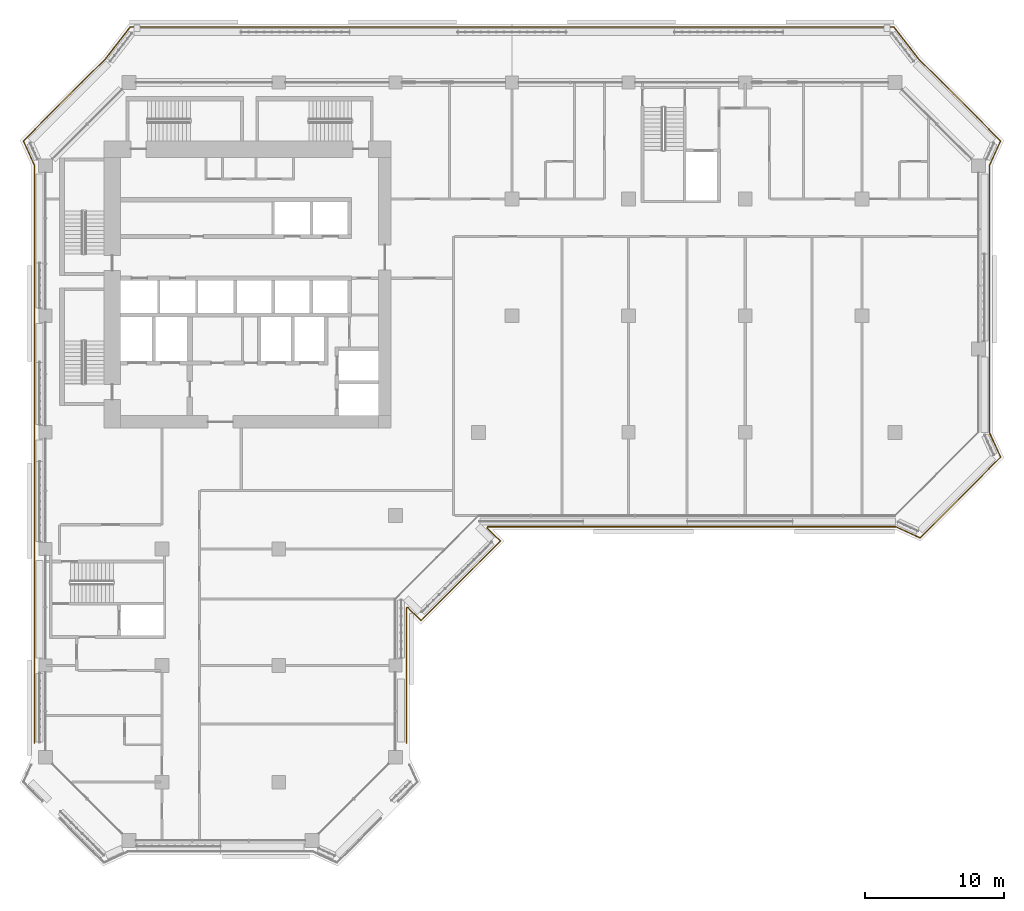
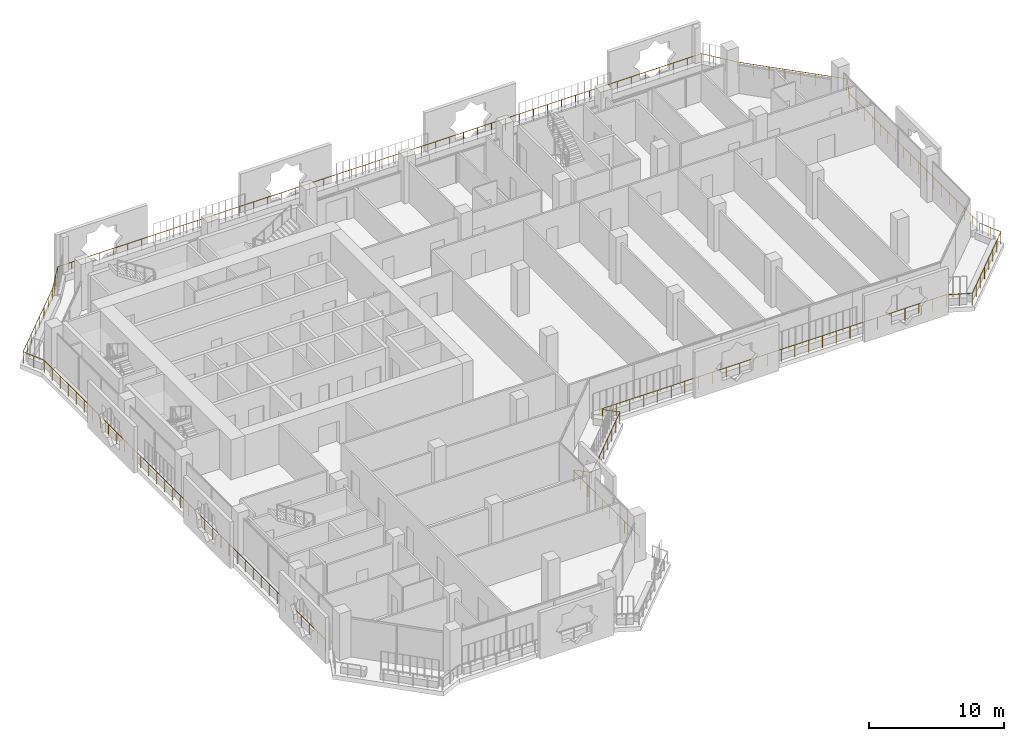
# One storey, part 20 of 22: 1 railing.
"""IFC4 building model written with IfcOpenShell, lengths in metres."""

from ifc_helpers import new_model, si_unit, direction, frame, origin, origin_2d, place, context, subcontext, project, spatial, circle, extrude, material, type_object, element, save


model = new_model("IFC4")

# Units and contexts
model_context = context("Model", 3, precision=1e-05, world=origin(), true_north=direction((0.0, 1.0)))
body_context = subcontext(model_context, "Body", "Model", "MODEL_VIEW")
ifc_project = project(units=[si_unit("LENGTHUNIT", "METRE"), si_unit("AREAUNIT", "SQUARE_METRE"), si_unit("VOLUMEUNIT", "CUBIC_METRE"), si_unit("PLANEANGLEUNIT", "RADIAN"), si_unit("MASSUNIT", "GRAM", prefix="KILO")], contexts=[model_context])

# Site, building, storey
site_placement = place(None, origin())
site = spatial("IfcSite", under=ifc_project, at=site_placement, CompositionType="ELEMENT")
building_placement = place(site_placement, origin())
building = spatial("IfcBuilding", under=site, at=building_placement, Name="Kawkab Arch Medical Tower", CompositionType="ELEMENT")
storey_placement = place(building_placement, frame((0.0, 0.0, 179.39990234375)))
storey = spatial("IfcBuildingStorey", under=building, at=storey_placement, Name="L41", CompositionType="ELEMENT", Elevation=179.39990234375)

# Railing
ifc_material = material(Name="Bronze anodised aluminium guard", Category="aluminium")
railing_type = type_object("IfcRailingType", Name="Loggia and terrace guard 1100", PredefinedType="GUARDRAIL", material=ifc_material)
railing_placement = place(storey_placement, frame((-0.800048828125, -47.570068359375, 0.0)))
element("IfcRailing", 1, at=railing_placement, inside=storey, type_object=railing_type, Name="Guard L41.LOG-01.1.3", PredefinedType="GUARDRAIL", context=body_context, shape_type="SweptSolid", body=[
    extrude(circle(Radius=0.02392578125, at=origin_2d()), frame((0.0, 0.0, 1.076171875), z_axis=(0.0, 1.0, 0.0), x_axis=(-1.0, 0.0, 0.0)), (0.0, 0.0, 1.0), 41.613037109375),
    extrude(circle(Radius=0.02392578125, at=origin_2d()), frame((0.0, 41.613037109375, 1.076171875), z_axis=(-0.414452581809, 0.910070907914, 0.0), x_axis=(-0.910070907914, -0.414452581809, 0.0)), (0.0, 0.0, 1.0), 1.925048828125),
    extrude(circle(Radius=0.02392578125, at=origin_2d()), frame((-0.7978515625, 43.364990234375, 1.076171875), z_axis=(0.707092175918, 0.707121386154, 0.0), x_axis=(-0.707121386154, 0.707092175918, 0.0)), (0.0, 0.0, 1.0), 8.358154296875),
    extrude(circle(Radius=0.02392578125, at=origin_2d()), frame((5.112060546875, 49.275146484375, 1.076171875), z_axis=(0.614144026922, 0.789193964876, 0.0), x_axis=(-0.789193964876, 0.614144026922, 0.0)), (0.0, 0.0, 1.0), 2.907958984375),
    extrude(circle(Radius=0.02392578125, at=origin_2d()), frame((6.89794921875, 51.570068359375, 1.076171875), z_axis=(1.0, 0.0, 0.0), x_axis=(0.0, 1.0, 0.0)), (0.0, 0.0, 1.0), 55.004150390625),
    extrude(circle(Radius=0.02392578125, at=origin_2d()), frame((61.902099609375, 51.570068359375, 1.076171875), z_axis=(0.614144026922, -0.789193964876, 0.0), x_axis=(0.789193964876, 0.614144026922, 0.0)), (0.0, 0.0, 1.0), 2.907958984375),
    extrude(circle(Radius=0.02392578125, at=origin_2d()), frame((63.68798828125, 49.275146484375, 1.076171875), z_axis=(0.707106781187, -0.707106781187, 0.0), x_axis=(0.707106781187, 0.707106781187, 0.0)), (0.0, 0.0, 1.0), 8.358154296875),
    extrude(circle(Radius=0.02392578125, at=origin_2d()), frame((69.59814453125, 43.364990234375, 1.076171875), z_axis=(-0.414557610759, -0.910023069687, 0.0), x_axis=(0.910023069687, -0.414557610759, 0.0)), (0.0, 0.0, 1.0), 1.92529296875),
    extrude(circle(Radius=0.02392578125, at=origin_2d()), frame((68.800048828125, 41.613037109375, 1.076171875), z_axis=(0.0, -1.0, 0.0), x_axis=(1.0, 0.0, 0.0)), (0.0, 0.0, 1.0), 19.285888671875),
    extrude(circle(Radius=0.02392578125, at=origin_2d()), frame((68.800048828125, 22.3271484375, 1.076171875), z_axis=(0.414509773934, -0.910044860056, 0.0), x_axis=(0.910044860056, 0.414509773934, 0.0)), (0.0, 0.0, 1.0), 1.92529296875),
    extrude(circle(Radius=0.02392578125, at=origin_2d()), frame((69.59814453125, 20.574951171875, 1.076171875), z_axis=(-0.707106781187, -0.707106781187, 0.0), x_axis=(0.707106781187, -0.707106781187, 0.0)), (0.0, 0.0, 1.0), 8.20654296875),
    extrude(circle(Radius=0.02392578125, at=origin_2d()), frame((63.795166015625, 14.77197265625, 1.076171875), z_axis=(-0.910044860056, 0.414509773934, 0.0), x_axis=(-0.414509773934, -0.910044860056, 0.0)), (0.0, 0.0, 1.0), 1.92529296875),
    extrude(circle(Radius=0.02392578125, at=origin_2d()), frame((62.04296875, 15.570068359375, 1.076171875), z_axis=(-1.0, 0.0, 0.0), x_axis=(0.0, -1.0, 0.0)), (0.0, 0.0, 1.0), 29.392822265625),
    extrude(circle(Radius=0.02392578125, at=origin_2d()), frame((32.650146484375, 15.570068359375, 1.076171875), z_axis=(-0.383763674343, -0.923431341387, 0.0), x_axis=(0.923431341387, -0.383763674343, 0.0)), (0.0, 0.0, 1.0), 0.101806640625),
    extrude(circle(Radius=0.02392578125, at=origin_2d()), frame((32.611083984375, 15.47607421875, 1.076171875), z_axis=(0.707015335112, -0.707198215437, 0.0), x_axis=(0.707198215437, 0.707015335112, 0.0)), (0.0, 0.0, 1.0), 1.3349609375),
    extrude(circle(Radius=0.02392578125, at=origin_2d()), frame((33.554931640625, 14.531982421875, 1.076171875), z_axis=(-0.707106781187, -0.707106781187, 0.0), x_axis=(0.707106781187, -0.707106781187, 0.0)), (0.0, 0.0, 1.0), 8.084716796875),
    extrude(circle(Radius=0.02392578125, at=origin_2d()), frame((27.838134765625, 8.815185546875, 1.076171875), z_axis=(-0.707198215437, 0.707015335112, 0.0), x_axis=(-0.707015335112, -0.707198215437, 0.0)), (0.0, 0.0, 1.0), 1.3349609375),
    extrude(circle(Radius=0.02392578125, at=origin_2d()), frame((26.89404296875, 9.759033203125, 1.076171875), z_axis=(-0.923431341387, -0.383763674343, 0.0), x_axis=(0.383763674343, -0.923431341387, 0.0)), (0.0, 0.0, 1.0), 0.101806640625),
    extrude(circle(Radius=0.02392578125, at=origin_2d()), frame((26.800048828125, 9.719970703125, 1.076171875), z_axis=(0.0, -1.0, 0.0), x_axis=(1.0, 0.0, 0.0)), (0.0, 0.0, 1.0), 9.719970703125),
    extrude(circle(Radius=0.02099609375, at=origin_2d()), origin(), (0.0, 0.0, 1.0), 1.052001953125),
    extrude(circle(Radius=0.02099609375, at=origin_2d()), frame((0.0, 1.18896484375, 0.0)), (0.0, 0.0, 1.0), 1.052001953125),
    extrude(circle(Radius=0.02099609375, at=origin_2d()), frame((0.0, 2.3779296875, 0.0)), (0.0, 0.0, 1.0), 1.052001953125),
    extrude(circle(Radius=0.02099609375, at=origin_2d()), frame((0.0, 3.56689453125, 0.0)), (0.0, 0.0, 1.0), 1.052001953125),
    extrude(circle(Radius=0.02099609375, at=origin_2d()), frame((0.0, 4.755859375, 0.0)), (0.0, 0.0, 1.0), 1.052001953125),
    extrude(circle(Radius=0.02099609375, at=origin_2d()), frame((0.0, 5.94482421875, 0.0)), (0.0, 0.0, 1.0), 1.052001953125),
    extrude(circle(Radius=0.02099609375, at=origin_2d()), frame((0.0, 7.133544921875, 0.0)), (0.0, 0.0, 1.0), 1.052001953125),
    extrude(circle(Radius=0.02099609375, at=origin_2d()), frame((0.0, 8.322509765625, 0.0)), (0.0, 0.0, 1.0), 1.052001953125),
    extrude(circle(Radius=0.02099609375, at=origin_2d()), frame((0.0, 9.511474609375, 0.0)), (0.0, 0.0, 1.0), 1.052001953125),
    extrude(circle(Radius=0.02099609375, at=origin_2d()), frame((0.0, 10.700439453125, 0.0)), (0.0, 0.0, 1.0), 1.052001953125),
    extrude(circle(Radius=0.02099609375, at=origin_2d()), frame((0.0, 11.889404296875, 0.0)), (0.0, 0.0, 1.0), 1.052001953125),
    extrude(circle(Radius=0.02099609375, at=origin_2d()), frame((0.0, 13.078369140625, 0.0)), (0.0, 0.0, 1.0), 1.052001953125),
    extrude(circle(Radius=0.02099609375, at=origin_2d()), frame((0.0, 14.267333984375, 0.0)), (0.0, 0.0, 1.0), 1.052001953125),
    extrude(circle(Radius=0.02099609375, at=origin_2d()), frame((0.0, 15.456298828125, 0.0)), (0.0, 0.0, 1.0), 1.052001953125),
    extrude(circle(Radius=0.02099609375, at=origin_2d()), frame((0.0, 16.645263671875, 0.0)), (0.0, 0.0, 1.0), 1.052001953125),
    extrude(circle(Radius=0.02099609375, at=origin_2d()), frame((0.0, 17.834228515625, 0.0)), (0.0, 0.0, 1.0), 1.052001953125),
    extrude(circle(Radius=0.02099609375, at=origin_2d()), frame((0.0, 19.023193359375, 0.0)), (0.0, 0.0, 1.0), 1.052001953125),
    extrude(circle(Radius=0.02099609375, at=origin_2d()), frame((0.0, 20.212158203125, 0.0)), (0.0, 0.0, 1.0), 1.052001953125),
    extrude(circle(Radius=0.02099609375, at=origin_2d()), frame((0.0, 21.40087890625, 0.0)), (0.0, 0.0, 1.0), 1.052001953125),
    extrude(circle(Radius=0.02099609375, at=origin_2d()), frame((0.0, 22.58984375, 0.0)), (0.0, 0.0, 1.0), 1.052001953125),
    extrude(circle(Radius=0.02099609375, at=origin_2d()), frame((0.0, 23.77880859375, 0.0)), (0.0, 0.0, 1.0), 1.052001953125),
    extrude(circle(Radius=0.02099609375, at=origin_2d()), frame((0.0, 24.9677734375, 0.0)), (0.0, 0.0, 1.0), 1.052001953125),
    extrude(circle(Radius=0.02099609375, at=origin_2d()), frame((0.0, 26.15673828125, 0.0)), (0.0, 0.0, 1.0), 1.052001953125),
    extrude(circle(Radius=0.02099609375, at=origin_2d()), frame((0.0, 27.345703125, 0.0)), (0.0, 0.0, 1.0), 1.052001953125),
    extrude(circle(Radius=0.02099609375, at=origin_2d()), frame((0.0, 28.53466796875, 0.0)), (0.0, 0.0, 1.0), 1.052001953125),
    extrude(circle(Radius=0.02099609375, at=origin_2d()), frame((0.0, 29.7236328125, 0.0)), (0.0, 0.0, 1.0), 1.052001953125),
    extrude(circle(Radius=0.02099609375, at=origin_2d()), frame((0.0, 30.91259765625, 0.0)), (0.0, 0.0, 1.0), 1.052001953125),
    extrude(circle(Radius=0.02099609375, at=origin_2d()), frame((0.0, 32.1015625, 0.0)), (0.0, 0.0, 1.0), 1.052001953125),
    extrude(circle(Radius=0.02099609375, at=origin_2d()), frame((0.0, 33.29052734375, 0.0)), (0.0, 0.0, 1.0), 1.052001953125),
    extrude(circle(Radius=0.02099609375, at=origin_2d()), frame((0.0, 34.4794921875, 0.0)), (0.0, 0.0, 1.0), 1.052001953125),
    extrude(circle(Radius=0.02099609375, at=origin_2d()), frame((0.0, 35.668212890625, 0.0)), (0.0, 0.0, 1.0), 1.052001953125),
    extrude(circle(Radius=0.02099609375, at=origin_2d()), frame((0.0, 36.857177734375, 0.0)), (0.0, 0.0, 1.0), 1.052001953125),
    extrude(circle(Radius=0.02099609375, at=origin_2d()), frame((0.0, 38.046142578125, 0.0)), (0.0, 0.0, 1.0), 1.052001953125),
    extrude(circle(Radius=0.02099609375, at=origin_2d()), frame((0.0, 39.235107421875, 0.0)), (0.0, 0.0, 1.0), 1.052001953125),
    extrude(circle(Radius=0.02099609375, at=origin_2d()), frame((0.0, 40.424072265625, 0.0)), (0.0, 0.0, 1.0), 1.052001953125),
    extrude(circle(Radius=0.02099609375, at=origin_2d()), frame((0.0, 41.613037109375, 0.0)), (0.0, 0.0, 1.0), 1.052001953125),
    extrude(circle(Radius=0.02099609375, at=origin_2d()), frame((-0.39892578125, 42.489013671875, 0.0)), (0.0, 0.0, 1.0), 1.052001953125),
    extrude(circle(Radius=0.02099609375, at=origin_2d()), frame((-0.7978515625, 43.364990234375, 0.0)), (0.0, 0.0, 1.0), 1.052001953125),
    extrude(circle(Radius=0.02099609375, at=origin_2d()), frame((0.04638671875, 44.209228515625, 0.0)), (0.0, 0.0, 1.0), 1.052001953125),
    extrude(circle(Radius=0.02099609375, at=origin_2d()), frame((0.890625, 45.0537109375, 0.0)), (0.0, 0.0, 1.0), 1.052001953125),
    extrude(circle(Radius=0.02099609375, at=origin_2d()), frame((1.73486328125, 45.89794921875, 0.0)), (0.0, 0.0, 1.0), 1.052001953125),
    extrude(circle(Radius=0.02099609375, at=origin_2d()), frame((2.579345703125, 46.7421875, 0.0)), (0.0, 0.0, 1.0), 1.052001953125),
    extrude(circle(Radius=0.02099609375, at=origin_2d()), frame((3.423583984375, 47.58642578125, 0.0)), (0.0, 0.0, 1.0), 1.052001953125),
    extrude(circle(Radius=0.02099609375, at=origin_2d()), frame((4.267822265625, 48.430908203125, 0.0)), (0.0, 0.0, 1.0), 1.052001953125),
    extrude(circle(Radius=0.02099609375, at=origin_2d()), frame((5.112060546875, 49.275146484375, 0.0)), (0.0, 0.0, 1.0), 1.052001953125),
    extrude(circle(Radius=0.02099609375, at=origin_2d()), frame((5.707275390625, 50.0400390625, 0.0)), (0.0, 0.0, 1.0), 1.052001953125),
    extrude(circle(Radius=0.02099609375, at=origin_2d()), frame((6.302734375, 50.80517578125, 0.0)), (0.0, 0.0, 1.0), 1.052001953125),
    extrude(circle(Radius=0.02099609375, at=origin_2d()), frame((6.89794921875, 51.570068359375, 0.0)), (0.0, 0.0, 1.0), 1.052001953125),
    extrude(circle(Radius=0.02099609375, at=origin_2d()), frame((8.09375, 51.570068359375, 0.0)), (0.0, 0.0, 1.0), 1.052001953125),
    extrude(circle(Radius=0.02099609375, at=origin_2d()), frame((9.28955078125, 51.570068359375, 0.0)), (0.0, 0.0, 1.0), 1.052001953125),
    extrude(circle(Radius=0.02099609375, at=origin_2d()), frame((10.485107421875, 51.570068359375, 0.0)), (0.0, 0.0, 1.0), 1.052001953125),
    extrude(circle(Radius=0.02099609375, at=origin_2d()), frame((11.680908203125, 51.570068359375, 0.0)), (0.0, 0.0, 1.0), 1.052001953125),
    extrude(circle(Radius=0.02099609375, at=origin_2d()), frame((12.876708984375, 51.570068359375, 0.0)), (0.0, 0.0, 1.0), 1.052001953125),
    extrude(circle(Radius=0.02099609375, at=origin_2d()), frame((14.072509765625, 51.570068359375, 0.0)), (0.0, 0.0, 1.0), 1.052001953125),
    extrude(circle(Radius=0.02099609375, at=origin_2d()), frame((15.26806640625, 51.570068359375, 0.0)), (0.0, 0.0, 1.0), 1.052001953125),
    extrude(circle(Radius=0.02099609375, at=origin_2d()), frame((16.4638671875, 51.570068359375, 0.0)), (0.0, 0.0, 1.0), 1.052001953125),
    extrude(circle(Radius=0.02099609375, at=origin_2d()), frame((17.65966796875, 51.570068359375, 0.0)), (0.0, 0.0, 1.0), 1.052001953125),
    extrude(circle(Radius=0.02099609375, at=origin_2d()), frame((18.85546875, 51.570068359375, 0.0)), (0.0, 0.0, 1.0), 1.052001953125),
    extrude(circle(Radius=0.02099609375, at=origin_2d()), frame((20.051025390625, 51.570068359375, 0.0)), (0.0, 0.0, 1.0), 1.052001953125),
    extrude(circle(Radius=0.02099609375, at=origin_2d()), frame((21.246826171875, 51.570068359375, 0.0)), (0.0, 0.0, 1.0), 1.052001953125),
    extrude(circle(Radius=0.02099609375, at=origin_2d()), frame((22.442626953125, 51.570068359375, 0.0)), (0.0, 0.0, 1.0), 1.052001953125),
    extrude(circle(Radius=0.02099609375, at=origin_2d()), frame((23.638427734375, 51.570068359375, 0.0)), (0.0, 0.0, 1.0), 1.052001953125),
    extrude(circle(Radius=0.02099609375, at=origin_2d()), frame((24.833984375, 51.570068359375, 0.0)), (0.0, 0.0, 1.0), 1.052001953125),
    extrude(circle(Radius=0.02099609375, at=origin_2d()), frame((26.02978515625, 51.570068359375, 0.0)), (0.0, 0.0, 1.0), 1.052001953125),
    extrude(circle(Radius=0.02099609375, at=origin_2d()), frame((27.2255859375, 51.570068359375, 0.0)), (0.0, 0.0, 1.0), 1.052001953125),
    extrude(circle(Radius=0.02099609375, at=origin_2d()), frame((28.42138671875, 51.570068359375, 0.0)), (0.0, 0.0, 1.0), 1.052001953125),
    extrude(circle(Radius=0.02099609375, at=origin_2d()), frame((29.616943359375, 51.570068359375, 0.0)), (0.0, 0.0, 1.0), 1.052001953125),
    extrude(circle(Radius=0.02099609375, at=origin_2d()), frame((30.812744140625, 51.570068359375, 0.0)), (0.0, 0.0, 1.0), 1.052001953125),
    extrude(circle(Radius=0.02099609375, at=origin_2d()), frame((32.008544921875, 51.570068359375, 0.0)), (0.0, 0.0, 1.0), 1.052001953125),
    extrude(circle(Radius=0.02099609375, at=origin_2d()), frame((33.204345703125, 51.570068359375, 0.0)), (0.0, 0.0, 1.0), 1.052001953125),
    extrude(circle(Radius=0.02099609375, at=origin_2d()), frame((34.39990234375, 51.570068359375, 0.0)), (0.0, 0.0, 1.0), 1.052001953125),
    extrude(circle(Radius=0.02099609375, at=origin_2d()), frame((35.595703125, 51.570068359375, 0.0)), (0.0, 0.0, 1.0), 1.052001953125),
    extrude(circle(Radius=0.02099609375, at=origin_2d()), frame((36.79150390625, 51.570068359375, 0.0)), (0.0, 0.0, 1.0), 1.052001953125),
    extrude(circle(Radius=0.02099609375, at=origin_2d()), frame((37.9873046875, 51.570068359375, 0.0)), (0.0, 0.0, 1.0), 1.052001953125),
    extrude(circle(Radius=0.02099609375, at=origin_2d()), frame((39.18310546875, 51.570068359375, 0.0)), (0.0, 0.0, 1.0), 1.052001953125),
    extrude(circle(Radius=0.02099609375, at=origin_2d()), frame((40.378662109375, 51.570068359375, 0.0)), (0.0, 0.0, 1.0), 1.052001953125),
    extrude(circle(Radius=0.02099609375, at=origin_2d()), frame((41.574462890625, 51.570068359375, 0.0)), (0.0, 0.0, 1.0), 1.052001953125),
    extrude(circle(Radius=0.02099609375, at=origin_2d()), frame((42.770263671875, 51.570068359375, 0.0)), (0.0, 0.0, 1.0), 1.052001953125),
    extrude(circle(Radius=0.02099609375, at=origin_2d()), frame((43.966064453125, 51.570068359375, 0.0)), (0.0, 0.0, 1.0), 1.052001953125),
    extrude(circle(Radius=0.02099609375, at=origin_2d()), frame((45.16162109375, 51.570068359375, 0.0)), (0.0, 0.0, 1.0), 1.052001953125),
    extrude(circle(Radius=0.02099609375, at=origin_2d()), frame((46.357421875, 51.570068359375, 0.0)), (0.0, 0.0, 1.0), 1.052001953125),
    extrude(circle(Radius=0.02099609375, at=origin_2d()), frame((47.55322265625, 51.570068359375, 0.0)), (0.0, 0.0, 1.0), 1.052001953125),
    extrude(circle(Radius=0.02099609375, at=origin_2d()), frame((48.7490234375, 51.570068359375, 0.0)), (0.0, 0.0, 1.0), 1.052001953125),
    extrude(circle(Radius=0.02099609375, at=origin_2d()), frame((49.944580078125, 51.570068359375, 0.0)), (0.0, 0.0, 1.0), 1.052001953125),
    extrude(circle(Radius=0.02099609375, at=origin_2d()), frame((51.140380859375, 51.570068359375, 0.0)), (0.0, 0.0, 1.0), 1.052001953125),
    extrude(circle(Radius=0.02099609375, at=origin_2d()), frame((52.336181640625, 51.570068359375, 0.0)), (0.0, 0.0, 1.0), 1.052001953125),
    extrude(circle(Radius=0.02099609375, at=origin_2d()), frame((53.531982421875, 51.570068359375, 0.0)), (0.0, 0.0, 1.0), 1.052001953125),
    extrude(circle(Radius=0.02099609375, at=origin_2d()), frame((54.7275390625, 51.570068359375, 0.0)), (0.0, 0.0, 1.0), 1.052001953125),
    extrude(circle(Radius=0.02099609375, at=origin_2d()), frame((55.92333984375, 51.570068359375, 0.0)), (0.0, 0.0, 1.0), 1.052001953125),
    extrude(circle(Radius=0.02099609375, at=origin_2d()), frame((57.119140625, 51.570068359375, 0.0)), (0.0, 0.0, 1.0), 1.052001953125),
    extrude(circle(Radius=0.02099609375, at=origin_2d()), frame((58.31494140625, 51.570068359375, 0.0)), (0.0, 0.0, 1.0), 1.052001953125),
    extrude(circle(Radius=0.02099609375, at=origin_2d()), frame((59.510498046875, 51.570068359375, 0.0)), (0.0, 0.0, 1.0), 1.052001953125),
    extrude(circle(Radius=0.02099609375, at=origin_2d()), frame((60.706298828125, 51.570068359375, 0.0)), (0.0, 0.0, 1.0), 1.052001953125),
    extrude(circle(Radius=0.02099609375, at=origin_2d()), frame((61.902099609375, 51.570068359375, 0.0)), (0.0, 0.0, 1.0), 1.052001953125),
    extrude(circle(Radius=0.02099609375, at=origin_2d()), frame((62.497314453125, 50.80517578125, 0.0)), (0.0, 0.0, 1.0), 1.052001953125),
    extrude(circle(Radius=0.02099609375, at=origin_2d()), frame((63.0927734375, 50.0400390625, 0.0)), (0.0, 0.0, 1.0), 1.052001953125),
    extrude(circle(Radius=0.02099609375, at=origin_2d()), frame((63.68798828125, 49.275146484375, 0.0)), (0.0, 0.0, 1.0), 1.052001953125),
    extrude(circle(Radius=0.02099609375, at=origin_2d()), frame((64.5322265625, 48.430908203125, 0.0)), (0.0, 0.0, 1.0), 1.052001953125),
    extrude(circle(Radius=0.02099609375, at=origin_2d()), frame((65.376708984375, 47.58642578125, 0.0)), (0.0, 0.0, 1.0), 1.052001953125),
    extrude(circle(Radius=0.02099609375, at=origin_2d()), frame((66.220947265625, 46.7421875, 0.0)), (0.0, 0.0, 1.0), 1.052001953125),
    extrude(circle(Radius=0.02099609375, at=origin_2d()), frame((67.065185546875, 45.89794921875, 0.0)), (0.0, 0.0, 1.0), 1.052001953125),
    extrude(circle(Radius=0.02099609375, at=origin_2d()), frame((67.909423828125, 45.0537109375, 0.0)), (0.0, 0.0, 1.0), 1.052001953125),
    extrude(circle(Radius=0.02099609375, at=origin_2d()), frame((68.75390625, 44.209228515625, 0.0)), (0.0, 0.0, 1.0), 1.052001953125),
    extrude(circle(Radius=0.02099609375, at=origin_2d()), frame((69.59814453125, 43.364990234375, 0.0)), (0.0, 0.0, 1.0), 1.052001953125),
    extrude(circle(Radius=0.02099609375, at=origin_2d()), frame((69.19921875, 42.489013671875, 0.0)), (0.0, 0.0, 1.0), 1.052001953125),
    extrude(circle(Radius=0.02099609375, at=origin_2d()), frame((68.800048828125, 41.613037109375, 0.0)), (0.0, 0.0, 1.0), 1.052001953125),
    extrude(circle(Radius=0.02099609375, at=origin_2d()), frame((68.800048828125, 40.478515625, 0.0)), (0.0, 0.0, 1.0), 1.052001953125),
    extrude(circle(Radius=0.02099609375, at=origin_2d()), frame((68.800048828125, 39.343994140625, 0.0)), (0.0, 0.0, 1.0), 1.052001953125),
    extrude(circle(Radius=0.02099609375, at=origin_2d()), frame((68.800048828125, 38.209716796875, 0.0)), (0.0, 0.0, 1.0), 1.052001953125),
    extrude(circle(Radius=0.02099609375, at=origin_2d()), frame((68.800048828125, 37.0751953125, 0.0)), (0.0, 0.0, 1.0), 1.052001953125),
    extrude(circle(Radius=0.02099609375, at=origin_2d()), frame((68.800048828125, 35.940673828125, 0.0)), (0.0, 0.0, 1.0), 1.052001953125),
    extrude(circle(Radius=0.02099609375, at=origin_2d()), frame((68.800048828125, 34.80615234375, 0.0)), (0.0, 0.0, 1.0), 1.052001953125),
    extrude(circle(Radius=0.02099609375, at=origin_2d()), frame((68.800048828125, 33.671875, 0.0)), (0.0, 0.0, 1.0), 1.052001953125),
    extrude(circle(Radius=0.02099609375, at=origin_2d()), frame((68.800048828125, 32.537353515625, 0.0)), (0.0, 0.0, 1.0), 1.052001953125),
    extrude(circle(Radius=0.02099609375, at=origin_2d()), frame((68.800048828125, 31.40283203125, 0.0)), (0.0, 0.0, 1.0), 1.052001953125),
    extrude(circle(Radius=0.02099609375, at=origin_2d()), frame((68.800048828125, 30.268310546875, 0.0)), (0.0, 0.0, 1.0), 1.052001953125),
    extrude(circle(Radius=0.02099609375, at=origin_2d()), frame((68.800048828125, 29.134033203125, 0.0)), (0.0, 0.0, 1.0), 1.052001953125),
    extrude(circle(Radius=0.02099609375, at=origin_2d()), frame((68.800048828125, 27.99951171875, 0.0)), (0.0, 0.0, 1.0), 1.052001953125),
    extrude(circle(Radius=0.02099609375, at=origin_2d()), frame((68.800048828125, 26.864990234375, 0.0)), (0.0, 0.0, 1.0), 1.052001953125),
    extrude(circle(Radius=0.02099609375, at=origin_2d()), frame((68.800048828125, 25.73046875, 0.0)), (0.0, 0.0, 1.0), 1.052001953125),
    extrude(circle(Radius=0.02099609375, at=origin_2d()), frame((68.800048828125, 24.59619140625, 0.0)), (0.0, 0.0, 1.0), 1.052001953125),
    extrude(circle(Radius=0.02099609375, at=origin_2d()), frame((68.800048828125, 23.461669921875, 0.0)), (0.0, 0.0, 1.0), 1.052001953125),
    extrude(circle(Radius=0.02099609375, at=origin_2d()), frame((68.800048828125, 22.3271484375, 0.0)), (0.0, 0.0, 1.0), 1.052001953125),
    extrude(circle(Radius=0.02099609375, at=origin_2d()), frame((69.19921875, 21.451171875, 0.0)), (0.0, 0.0, 1.0), 1.052001953125),
    extrude(circle(Radius=0.02099609375, at=origin_2d()), frame((69.59814453125, 20.574951171875, 0.0)), (0.0, 0.0, 1.0), 1.052001953125),
    extrude(circle(Radius=0.02099609375, at=origin_2d()), frame((68.76904296875, 19.745849609375, 0.0)), (0.0, 0.0, 1.0), 1.052001953125),
    extrude(circle(Radius=0.02099609375, at=origin_2d()), frame((67.940185546875, 18.9169921875, 0.0)), (0.0, 0.0, 1.0), 1.052001953125),
    extrude(circle(Radius=0.02099609375, at=origin_2d()), frame((67.111083984375, 18.087890625, 0.0)), (0.0, 0.0, 1.0), 1.052001953125),
    extrude(circle(Radius=0.02099609375, at=origin_2d()), frame((66.2822265625, 17.259033203125, 0.0)), (0.0, 0.0, 1.0), 1.052001953125),
    extrude(circle(Radius=0.02099609375, at=origin_2d()), frame((65.453125, 16.429931640625, 0.0)), (0.0, 0.0, 1.0), 1.052001953125),
    extrude(circle(Radius=0.02099609375, at=origin_2d()), frame((64.624267578125, 15.60107421875, 0.0)), (0.0, 0.0, 1.0), 1.052001953125),
    extrude(circle(Radius=0.02099609375, at=origin_2d()), frame((63.795166015625, 14.77197265625, 0.0)), (0.0, 0.0, 1.0), 1.052001953125),
    extrude(circle(Radius=0.02099609375, at=origin_2d()), frame((62.9189453125, 15.1708984375, 0.0)), (0.0, 0.0, 1.0), 1.052001953125),
    extrude(circle(Radius=0.02099609375, at=origin_2d()), frame((62.04296875, 15.570068359375, 0.0)), (0.0, 0.0, 1.0), 1.052001953125),
    extrude(circle(Radius=0.02099609375, at=origin_2d()), frame((60.8671875, 15.570068359375, 0.0)), (0.0, 0.0, 1.0), 1.052001953125),
    extrude(circle(Radius=0.02099609375, at=origin_2d()), frame((59.691650390625, 15.570068359375, 0.0)), (0.0, 0.0, 1.0), 1.052001953125),
    extrude(circle(Radius=0.02099609375, at=origin_2d()), frame((58.515869140625, 15.570068359375, 0.0)), (0.0, 0.0, 1.0), 1.052001953125),
    extrude(circle(Radius=0.02099609375, at=origin_2d()), frame((57.340087890625, 15.570068359375, 0.0)), (0.0, 0.0, 1.0), 1.052001953125),
    extrude(circle(Radius=0.02099609375, at=origin_2d()), frame((56.164306640625, 15.570068359375, 0.0)), (0.0, 0.0, 1.0), 1.052001953125),
    extrude(circle(Radius=0.02099609375, at=origin_2d()), frame((54.98876953125, 15.570068359375, 0.0)), (0.0, 0.0, 1.0), 1.052001953125),
    extrude(circle(Radius=0.02099609375, at=origin_2d()), frame((53.81298828125, 15.570068359375, 0.0)), (0.0, 0.0, 1.0), 1.052001953125),
    extrude(circle(Radius=0.02099609375, at=origin_2d()), frame((52.63720703125, 15.570068359375, 0.0)), (0.0, 0.0, 1.0), 1.052001953125),
    extrude(circle(Radius=0.02099609375, at=origin_2d()), frame((51.461669921875, 15.570068359375, 0.0)), (0.0, 0.0, 1.0), 1.052001953125),
    extrude(circle(Radius=0.02099609375, at=origin_2d()), frame((50.285888671875, 15.570068359375, 0.0)), (0.0, 0.0, 1.0), 1.052001953125),
    extrude(circle(Radius=0.02099609375, at=origin_2d()), frame((49.110107421875, 15.570068359375, 0.0)), (0.0, 0.0, 1.0), 1.052001953125),
    extrude(circle(Radius=0.02099609375, at=origin_2d()), frame((47.934326171875, 15.570068359375, 0.0)), (0.0, 0.0, 1.0), 1.052001953125),
    extrude(circle(Radius=0.02099609375, at=origin_2d()), frame((46.7587890625, 15.570068359375, 0.0)), (0.0, 0.0, 1.0), 1.052001953125),
    extrude(circle(Radius=0.02099609375, at=origin_2d()), frame((45.5830078125, 15.570068359375, 0.0)), (0.0, 0.0, 1.0), 1.052001953125),
    extrude(circle(Radius=0.02099609375, at=origin_2d()), frame((44.4072265625, 15.570068359375, 0.0)), (0.0, 0.0, 1.0), 1.052001953125),
    extrude(circle(Radius=0.02099609375, at=origin_2d()), frame((43.2314453125, 15.570068359375, 0.0)), (0.0, 0.0, 1.0), 1.052001953125),
    extrude(circle(Radius=0.02099609375, at=origin_2d()), frame((42.055908203125, 15.570068359375, 0.0)), (0.0, 0.0, 1.0), 1.052001953125),
    extrude(circle(Radius=0.02099609375, at=origin_2d()), frame((40.880126953125, 15.570068359375, 0.0)), (0.0, 0.0, 1.0), 1.052001953125),
    extrude(circle(Radius=0.02099609375, at=origin_2d()), frame((39.704345703125, 15.570068359375, 0.0)), (0.0, 0.0, 1.0), 1.052001953125),
    extrude(circle(Radius=0.02099609375, at=origin_2d()), frame((38.52880859375, 15.570068359375, 0.0)), (0.0, 0.0, 1.0), 1.052001953125),
    extrude(circle(Radius=0.02099609375, at=origin_2d()), frame((37.35302734375, 15.570068359375, 0.0)), (0.0, 0.0, 1.0), 1.052001953125),
    extrude(circle(Radius=0.02099609375, at=origin_2d()), frame((36.17724609375, 15.570068359375, 0.0)), (0.0, 0.0, 1.0), 1.052001953125),
    extrude(circle(Radius=0.02099609375, at=origin_2d()), frame((35.00146484375, 15.570068359375, 0.0)), (0.0, 0.0, 1.0), 1.052001953125),
    extrude(circle(Radius=0.02099609375, at=origin_2d()), frame((33.825927734375, 15.570068359375, 0.0)), (0.0, 0.0, 1.0), 1.052001953125),
    extrude(circle(Radius=0.02099609375, at=origin_2d()), frame((32.650146484375, 15.570068359375, 0.0)), (0.0, 0.0, 1.0), 1.052001953125),
    extrude(circle(Radius=0.02099609375, at=origin_2d()), frame((32.611083984375, 15.47607421875, 0.0)), (0.0, 0.0, 1.0), 1.052001953125),
    extrude(circle(Radius=0.02099609375, at=origin_2d()), frame((33.0830078125, 15.00390625, 0.0)), (0.0, 0.0, 1.0), 1.052001953125),
    extrude(circle(Radius=0.02099609375, at=origin_2d()), frame((33.554931640625, 14.531982421875, 0.0)), (0.0, 0.0, 1.0), 1.052001953125),
    extrude(circle(Radius=0.02099609375, at=origin_2d()), frame((32.73828125, 13.71533203125, 0.0)), (0.0, 0.0, 1.0), 1.052001953125),
    extrude(circle(Radius=0.02099609375, at=origin_2d()), frame((31.921630859375, 12.898681640625, 0.0)), (0.0, 0.0, 1.0), 1.052001953125),
    extrude(circle(Radius=0.02099609375, at=origin_2d()), frame((31.10498046875, 12.08203125, 0.0)), (0.0, 0.0, 1.0), 1.052001953125),
    extrude(circle(Radius=0.02099609375, at=origin_2d()), frame((30.2880859375, 11.26513671875, 0.0)), (0.0, 0.0, 1.0), 1.052001953125),
    extrude(circle(Radius=0.02099609375, at=origin_2d()), frame((29.471435546875, 10.448486328125, 0.0)), (0.0, 0.0, 1.0), 1.052001953125),
    extrude(circle(Radius=0.02099609375, at=origin_2d()), frame((28.65478515625, 9.6318359375, 0.0)), (0.0, 0.0, 1.0), 1.052001953125),
    extrude(circle(Radius=0.02099609375, at=origin_2d()), frame((27.838134765625, 8.815185546875, 0.0)), (0.0, 0.0, 1.0), 1.052001953125),
    extrude(circle(Radius=0.02099609375, at=origin_2d()), frame((27.3662109375, 9.287109375, 0.0)), (0.0, 0.0, 1.0), 1.052001953125),
    extrude(circle(Radius=0.02099609375, at=origin_2d()), frame((26.89404296875, 9.759033203125, 0.0)), (0.0, 0.0, 1.0), 1.052001953125),
    extrude(circle(Radius=0.02099609375, at=origin_2d()), frame((26.800048828125, 9.719970703125, 0.0)), (0.0, 0.0, 1.0), 1.052001953125),
    extrude(circle(Radius=0.02099609375, at=origin_2d()), frame((26.800048828125, 8.639892578125, 0.0)), (0.0, 0.0, 1.0), 1.052001953125),
    extrude(circle(Radius=0.02099609375, at=origin_2d()), frame((26.800048828125, 7.56005859375, 0.0)), (0.0, 0.0, 1.0), 1.052001953125),
    extrude(circle(Radius=0.02099609375, at=origin_2d()), frame((26.800048828125, 6.47998046875, 0.0)), (0.0, 0.0, 1.0), 1.052001953125),
    extrude(circle(Radius=0.02099609375, at=origin_2d()), frame((26.800048828125, 5.39990234375, 0.0)), (0.0, 0.0, 1.0), 1.052001953125),
    extrude(circle(Radius=0.02099609375, at=origin_2d()), frame((26.800048828125, 4.320068359375, 0.0)), (0.0, 0.0, 1.0), 1.052001953125),
    extrude(circle(Radius=0.02099609375, at=origin_2d()), frame((26.800048828125, 3.239990234375, 0.0)), (0.0, 0.0, 1.0), 1.052001953125),
    extrude(circle(Radius=0.02099609375, at=origin_2d()), frame((26.800048828125, 2.159912109375, 0.0)), (0.0, 0.0, 1.0), 1.052001953125),
    extrude(circle(Radius=0.02099609375, at=origin_2d()), frame((26.800048828125, 1.080078125, 0.0)), (0.0, 0.0, 1.0), 1.052001953125),
    extrude(circle(Radius=0.02099609375, at=origin_2d()), frame((26.800048828125, 0.0, 0.0)), (0.0, 0.0, 1.0), 1.052001953125),
])

save(model, "model.ifc")
